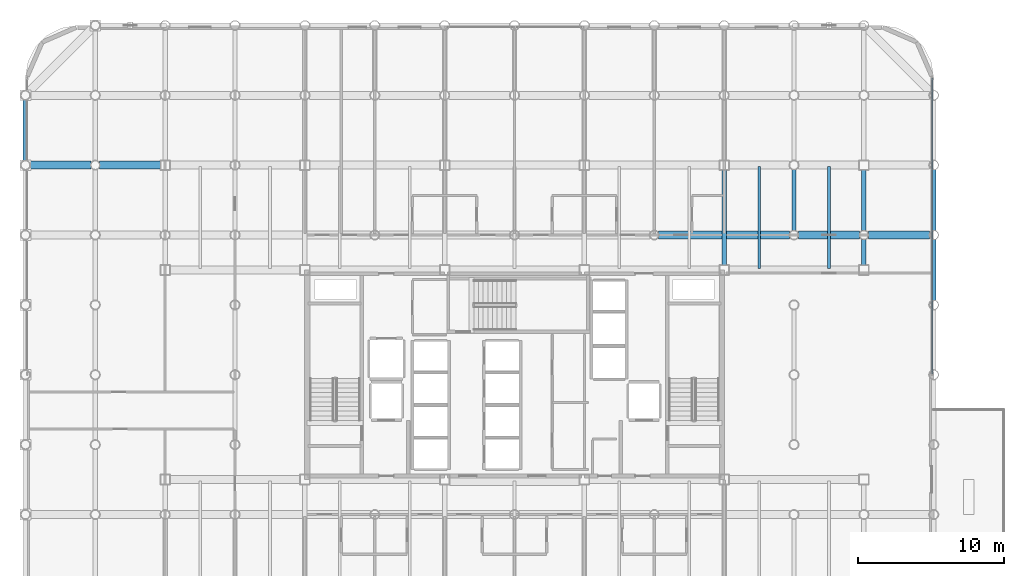
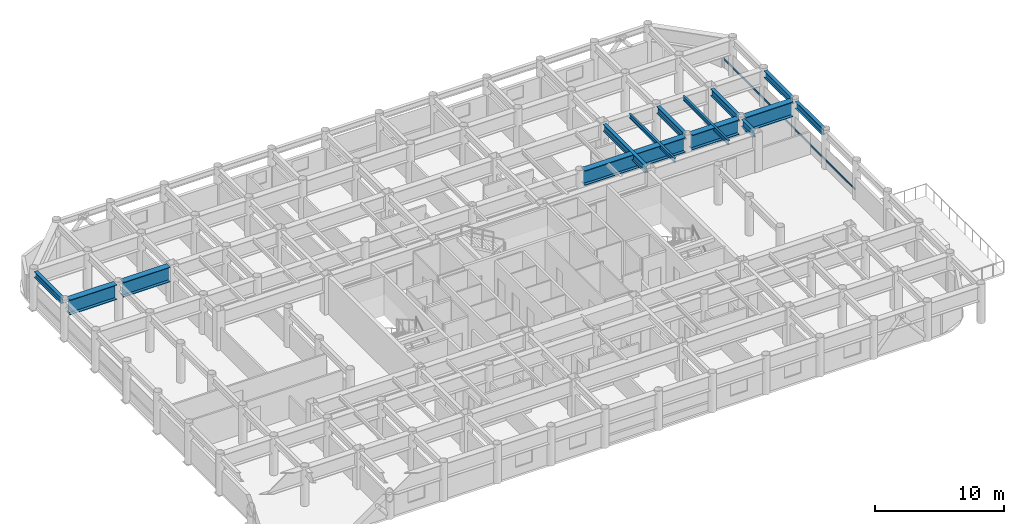
# One storey, part 9 of 23: 14 beams, 1 member, 1 element without a shape of its own.
"""IFC4 building model written with IfcOpenShell, lengths in metres."""

from ifc_helpers import new_model, si_unit, direction, frame, origin, origin_2d, place, context, subcontext, project, spatial, hollow_rectangle, i_section, extrude, material, layer, layer_set, material_profile, profile_set, type_object, element, aggregate, save


model = new_model("IFC4")

# Units and contexts
model_context = context("Model", 3, precision=1e-05, world=origin(), true_north=direction((0.0, 1.0)))
body_context = subcontext(model_context, "Body", "Model", "MODEL_VIEW")
ifc_project = project(units=[si_unit("LENGTHUNIT", "METRE"), si_unit("AREAUNIT", "SQUARE_METRE"), si_unit("VOLUMEUNIT", "CUBIC_METRE"), si_unit("PLANEANGLEUNIT", "RADIAN"), si_unit("MASSUNIT", "GRAM", prefix="KILO")], contexts=[model_context])

# Site, building, storey
site_placement = place(None, origin())
site = spatial("IfcSite", under=ifc_project, at=site_placement, CompositionType="ELEMENT")
building_placement = place(site_placement, origin())
building = spatial("IfcBuilding", under=site, at=building_placement, Name="Kallvorn Hotel Tower", CompositionType="ELEMENT")
storey_placement = place(building_placement, frame((0.0, 0.0, 124.800048828125)))
storey = spatial("IfcBuildingStorey", under=building, at=storey_placement, Name="L30", CompositionType="ELEMENT", Elevation=124.800048828125)

# Beams
ifc_material_1 = material(Name="Structural steel S355JR", Category="steel")
ifc_material_profile_1 = material_profile(ifc_material_1, i_section(OverallWidth=0.300048828125, OverallDepth=0.550048828125, WebThickness=0.014892578125, FlangeThickness=0.029052734375, at=origin_2d()), Name="HE 550 B")
ifc_profile_set_1 = profile_set([ifc_material_profile_1], Name="Structural steel S355JR")
beam_type_1 = type_object("IfcBeamType", Name="BM_HE550B", PredefinedType="SPANDREL", material=ifc_profile_set_1)
beam_1_placement = place(storey_placement, frame((-33.60009765625, 14.719970703125, 3.244873046875), z_axis=(0.0, 1.0, 0.0), x_axis=(-1.0, 0.0, 0.0)))
element("IfcBeam", 1, at=beam_1_placement, inside=storey, type_object=beam_type_1, Name="L31 Perimeter Spandrel 180", PredefinedType="SPANDREL", context=body_context, shape_type="SweptSolid", body=[
    extrude(i_section(OverallWidth=0.300048828125, OverallDepth=0.550048828125, WebThickness=0.014892578125, FlangeThickness=0.029052734375, at=origin_2d()), origin(), (0.0, 0.0, 1.0), 4.159912109375),
])
ifc_material_2 = material(Name="Structural steel S355JR", Category="steel")
ifc_material_profile_2 = material_profile(ifc_material_2, i_section(OverallWidth=0.300048828125, OverallDepth=0.64990234375, WebThickness=0.01611328125, FlangeThickness=0.031005859375, at=origin_2d()), Name="HE 650 B")
ifc_profile_set_2 = profile_set([ifc_material_profile_2], Name="Structural steel S355JR")
beam_type_2 = type_object("IfcBeamType", Name="BM_HE650B", PredefinedType="BEAM", material=ifc_profile_set_2)
beam_2_placement = place(storey_placement, frame((14.39990234375, 7.52490234375, 3.195068359375), z_axis=(0.0, 1.0, 0.0), x_axis=(-1.0, 0.0, 0.0)))
element("IfcBeam", 2, at=beam_2_placement, inside=storey, type_object=beam_type_2, Name="L31 Primary Y-Girder 124", PredefinedType="BEAM", context=body_context, shape_type="SweptSolid", body=[
    extrude(i_section(OverallWidth=0.300048828125, OverallDepth=0.64990234375, WebThickness=0.01611328125, FlangeThickness=0.031005859375, at=origin_2d()), origin(), (0.0, 0.0, 1.0), 6.550048828125),
])
beam_3_placement = place(storey_placement, frame((19.199951171875, 9.905029296875, 3.195068359375), z_axis=(0.0, 1.0, 0.0), x_axis=(-1.0, 0.0, 0.0)))
element("IfcBeam", 3, at=beam_3_placement, inside=storey, type_object=beam_type_2, Name="L31 Primary Y-Girder 133", PredefinedType="BEAM", context=body_context, shape_type="SweptSolid", body=[
    extrude(i_section(OverallWidth=0.300048828125, OverallDepth=0.64990234375, WebThickness=0.01611328125, FlangeThickness=0.031005859375, at=origin_2d()), origin(), (0.0, 0.0, 1.0), 4.18994140625),
])
beam_4_placement = place(storey_placement, frame((24.0, 7.52490234375, 3.195068359375), z_axis=(0.0, 1.0, 0.0), x_axis=(-1.0, 0.0, 0.0)))
element("IfcBeam", 4, at=beam_4_placement, inside=storey, type_object=beam_type_2, Name="L31 Primary Y-Girder 139", PredefinedType="BEAM", context=body_context, shape_type="SweptSolid", body=[
    extrude(i_section(OverallWidth=0.300048828125, OverallDepth=0.64990234375, WebThickness=0.01611328125, FlangeThickness=0.031005859375, at=origin_2d()), origin(), (0.0, 0.0, 1.0), 1.77001953125),
])
beam_5_placement = place(storey_placement, frame((24.0, 9.905029296875, 3.195068359375), z_axis=(0.0, 1.0, 0.0), x_axis=(-1.0, 0.0, 0.0)))
element("IfcBeam", 5, at=beam_5_placement, inside=storey, type_object=beam_type_2, Name="L31 Primary Y-Girder 140", PredefinedType="BEAM", context=body_context, shape_type="SweptSolid", body=[
    extrude(i_section(OverallWidth=0.300048828125, OverallDepth=0.64990234375, WebThickness=0.01611328125, FlangeThickness=0.031005859375, at=origin_2d()), origin(), (0.0, 0.0, 1.0), 4.169921875),
])
for number, where, z_axis, x_axis, name in (
    (6, (28.800048828125, 5.10498046875, 3.195068359375), (0.0, 1.0, 0.0), (-1.0, 0.0, 0.0), "L31 Primary Y-Girder 148"),
    (7, (28.800048828125, 9.905029296875, 3.195068359375), (0.0, 1.0, 0.0), (-1.0, 0.0, 0.0), "L31 Primary Y-Girder 149"),
):
    element("IfcBeam", number, at=place(storey_placement, frame(where, z_axis=z_axis, x_axis=x_axis)), inside=storey, type_object=beam_type_2, Name=name, PredefinedType="BEAM", context=body_context, shape_type="SweptSolid", body=[
        extrude(i_section(OverallWidth=0.300048828125, OverallDepth=0.64990234375, WebThickness=0.01611328125, FlangeThickness=0.031005859375, at=origin_2d()), origin(), (0.0, 0.0, 1.0), 4.18994140625),
    ])
ifc_material_3 = material(Name="Structural steel S355JR", Category="steel")
ifc_material_profile_3 = material_profile(ifc_material_3, i_section(OverallWidth=0.179931640625, OverallDepth=0.39990234375, WebThickness=0.008544921875, FlangeThickness=0.013427734375, at=origin_2d()), Name="IPE 400")
ifc_profile_set_3 = profile_set([ifc_material_profile_3], Name="Structural steel S355JR")
beam_type_3 = type_object("IfcBeamType", Name="BM_IPE400", PredefinedType="JOIST", material=ifc_profile_set_3)
for number, where, z_axis, x_axis, name in (
    (8, (16.800048828125, 7.300048828125, 3.320068359375), (0.0, 1.0, 0.0), (-1.0, 0.0, 0.0), "L31 Secondary Composite Joist 207"),
    (9, (21.60009765625, 7.300048828125, 3.320068359375), (0.0, 1.0, 0.0), (-1.0, 0.0, 0.0), "L31 Secondary Composite Joist 209"),
):
    element("IfcBeam", number, at=place(storey_placement, frame(where, z_axis=z_axis, x_axis=x_axis)), inside=storey, type_object=beam_type_3, Name=name, PredefinedType="JOIST", context=body_context, shape_type="SweptSolid", body=[
        extrude(i_section(OverallWidth=0.179931640625, OverallDepth=0.39990234375, WebThickness=0.008544921875, FlangeThickness=0.013427734375, at=origin_2d()), origin(), (0.0, 0.0, 1.0), 7.0),
    ])
ifc_material_4 = material(Name="Structural steel S355JR", Category="steel")
ifc_material_profile_4 = material_profile(ifc_material_4, i_section(OverallWidth=0.550048828125, OverallDepth=1.39990234375, WebThickness=0.02490234375, FlangeThickness=0.044921875, at=origin_2d()), Name="PG 1400x550x25x45")
ifc_profile_set_4 = profile_set([ifc_material_profile_4], Name="Structural steel S355JR")
beam_type_4 = type_object("IfcBeamType", Name="BM_PG_1400", PredefinedType="BEAM", material=ifc_profile_set_4)
beam_6_placement = place(storey_placement, frame((9.905029296875, 9.60009765625, 2.820068359375), z_axis=(1.0, 0.0, 0.0), x_axis=(0.0, 1.0, 0.0)))
element("IfcBeam", 10, at=beam_6_placement, inside=storey, type_object=beam_type_4, Name="L31 Primary X-Girder 47", PredefinedType="BEAM", context=body_context, shape_type="SweptSolid", body=[
    extrude(i_section(OverallWidth=0.550048828125, OverallDepth=1.39990234375, WebThickness=0.02490234375, FlangeThickness=0.044921875, at=origin_2d()), origin(), (0.0, 0.0, 1.0), 8.989990234375),
])
for number, where, z_axis, x_axis, name in (
    (11, (19.5048828125, 9.60009765625, 2.820068359375), (1.0, 0.0, 0.0), (0.0, 1.0, 0.0), "L31 Primary X-Girder 48"),
    (12, (24.304931640625, 9.60009765625, 2.820068359375), (1.0, 0.0, 0.0), (0.0, 1.0, 0.0), "L31 Primary X-Girder 49"),
):
    element("IfcBeam", number, at=place(storey_placement, frame(where, z_axis=z_axis, x_axis=x_axis)), inside=storey, type_object=beam_type_4, Name=name, PredefinedType="BEAM", context=body_context, shape_type="SweptSolid", body=[
        extrude(i_section(OverallWidth=0.550048828125, OverallDepth=1.39990234375, WebThickness=0.02490234375, FlangeThickness=0.044921875, at=origin_2d()), origin(), (0.0, 0.0, 1.0), 4.190185546875),
    ])
beam_7_placement = place(storey_placement, frame((-33.294921875, 14.39990234375, 2.820068359375), z_axis=(1.0, 0.0, 0.0), x_axis=(0.0, 1.0, 0.0)))
element("IfcBeam", 13, at=beam_7_placement, inside=storey, type_object=beam_type_4, Name="L31 Primary X-Girder 50", PredefinedType="BEAM", context=body_context, shape_type="SweptSolid", body=[
    extrude(i_section(OverallWidth=0.550048828125, OverallDepth=1.39990234375, WebThickness=0.02490234375, FlangeThickness=0.044921875, at=origin_2d()), origin(), (0.0, 0.0, 1.0), 4.18994140625),
])
beam_8_placement = place(storey_placement, frame((-28.4951171875, 14.39990234375, 2.820068359375), z_axis=(1.0, 0.0, 0.0), x_axis=(0.0, 1.0, 0.0)))
element("IfcBeam", 14, at=beam_8_placement, inside=storey, type_object=beam_type_4, Name="L31 Primary X-Girder 51", PredefinedType="BEAM", context=body_context, shape_type="SweptSolid", body=[
    extrude(i_section(OverallWidth=0.550048828125, OverallDepth=1.39990234375, WebThickness=0.02490234375, FlangeThickness=0.044921875, at=origin_2d()), origin(), (0.0, 0.0, 1.0), 4.170166015625),
])

# Curtain wall, member
ifc_material_5 = material(Name="Thermally broken black-anodised aluminium AA 6063-T6", Category="aluminium")
ifc_layer = layer(ifc_material_5, 0.2099609375)
ifc_layer_set = layer_set([ifc_layer], Name="CW_SYS_4_HOTEL_MID")
curtain_wall_type = type_object("IfcCurtainWallType", Name="CW_SYS_4_HOTEL_MID", PredefinedType="USERDEFINED", material=ifc_layer_set)
curtain_wall_placement = place(storey_placement, origin())
curtain_wall = element("IfcCurtainWall", 15, at=curtain_wall_placement, inside=storey, type_object=curtain_wall_type, Name="L30 Dark-Glass Curtain Wall CW-L30-EN", ObjectType="UNITISED CURTAIN WALL", PredefinedType="USERDEFINED")
ifc_material_6 = material(Name="Thermally broken black-anodised aluminium AA 6063-T6", Category="aluminium")
ifc_material_profile_5 = material_profile(ifc_material_6, hollow_rectangle(XDim=0.070068359375, YDim=0.179931640625, WallThickness=0.00390625, at=origin_2d()), Name="TRN 180x70")
ifc_profile_set_5 = profile_set([ifc_material_profile_5], Name="Thermally broken black-anodised aluminium AA 6063-T6")
member_type = type_object("IfcMemberType", Name="CW_TRANSOM_180x70", PredefinedType="USERDEFINED", material=ifc_profile_set_5)
member_placement = place(storey_placement, frame((28.679931640625, 0.06005859375, 0.849853515625), z_axis=(0.0, 1.0, 0.0), x_axis=(-1.0, 0.0, 0.0)))
member = element("IfcMember", 16, at=member_placement, type_object=member_type, Name="CW-L30-EN Transom 00M", ObjectType="TRANSOM", PredefinedType="USERDEFINED", context=body_context, shape_type="SweptSolid", body=[
    extrude(hollow_rectangle(XDim=0.070068359375, YDim=0.179931640625, WallThickness=0.00390625, at=origin_2d()), origin(), (0.0, 0.0, 1.0), 20.300048828125),
])
aggregate(curtain_wall, [member])

save(model, "model.ifc")
